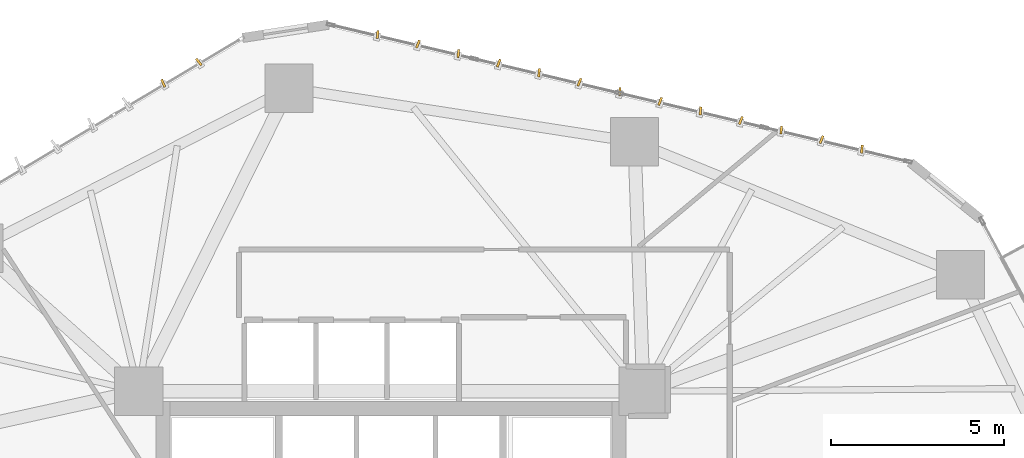
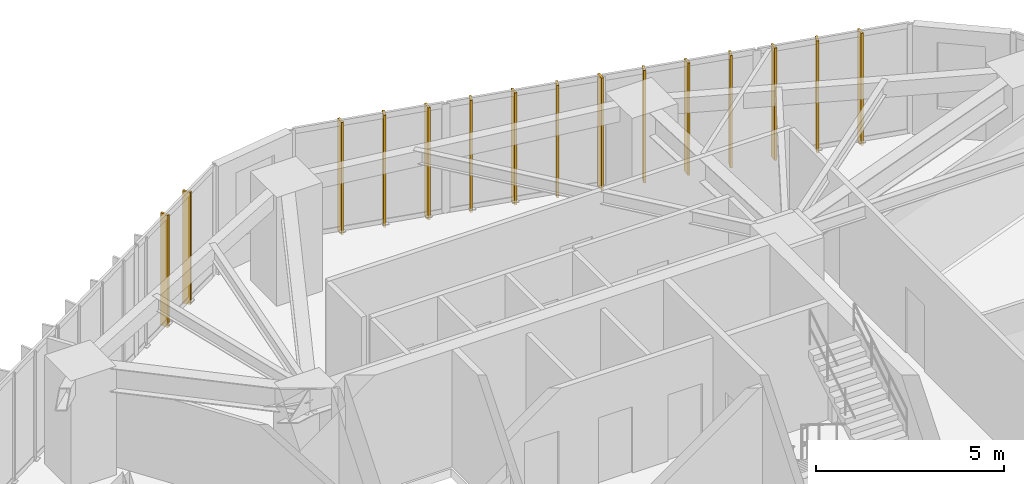
# One storey, part 23 of 23: 15 shading devices.
"""IFC4 building model written with IfcOpenShell, lengths in metres."""

from ifc_helpers import new_model, si_unit, direction, frame, origin, origin_2d, place, context, subcontext, project, spatial, rectangle, extrude, source, transform, mapped, material, layer, layer_set, type_object, type_shapes, element, save


model = new_model("IFC4")

# Units and contexts
model_context = context("Model", 3, precision=1e-05, world=origin(), true_north=direction((0.0, 1.0)))
body_context = subcontext(model_context, "Body", "Model", "MODEL_VIEW")
ifc_project = project(units=[si_unit("LENGTHUNIT", "METRE"), si_unit("AREAUNIT", "SQUARE_METRE"), si_unit("VOLUMEUNIT", "CUBIC_METRE"), si_unit("PLANEANGLEUNIT", "RADIAN"), si_unit("MASSUNIT", "GRAM", prefix="KILO")], contexts=[model_context])

# Site, building, storey
site_placement = place(None, origin())
site = spatial("IfcSite", under=ifc_project, at=site_placement, CompositionType="ELEMENT")
building_placement = place(site_placement, origin())
building = spatial("IfcBuilding", under=site, at=building_placement, Name="Talar Marvaseh", CompositionType="ELEMENT")
storey_placement = place(building_placement, frame((0.0, 0.0, 50.60009765625)))
storey = spatial("IfcBuildingStorey", under=building, at=storey_placement, Name="L12", CompositionType="ELEMENT", Elevation=50.60009765625)

# Shading devices
ifc_material = material(Name="Anodised Champagne Bronze Aluminium", Category="aluminium")
ifc_layer = layer(ifc_material, 0.06494140625)
ifc_layer_set = layer_set([ifc_layer], Name="Anodised Champagne Bronze Aluminium")
shading_device_type = type_object("IfcShadingDeviceType", Name="Sawtooth Champagne Bronze Vertical Fin 240", PredefinedType="USERDEFINED", material=ifc_layer_set)
shared_shape = source(origin(), body_context, "Body", "SweptSolid", [
    extrude(rectangle(XDim=0.239990234375, YDim=0.06494140625, at=origin_2d()), origin(), (0.0, 0.0, 1.0), 3.639892578125),
])
type_shapes(shading_device_type, [shared_shape])
for number, where, z_axis, x_axis, name in (
    (1, (19.40869140625, 45.81201171875, -0.1201171875), (0.0, 0.0, 1.0), (-0.387837353782, 0.92172782697, 0.0), "L12 Sawtooth Vertical Solar Fin"),
    (2, (20.439208984375, 46.4267578125, -0.1201171875), (0.0, 0.0, 1.0), (-0.626875813454, 0.779119191464, 0.0), "L12 Sawtooth Vertical Solar Fin"),
    (3, (25.612060546875, 47.222900390625, -0.1201171875), (0.0, 0.0, 1.0), (0.0927181553, 0.995692394105, 0.0), "L12 Sawtooth Vertical Solar Fin"),
    (4, (26.77978515625, 46.946533203125, -0.1201171875), (0.0, 0.0, 1.0), (0.363576429927, 0.931564372227, 0.0), "L12 Sawtooth Vertical Solar Fin"),
    (5, (27.947509765625, 46.670166015625, -0.1201171875), (0.0, 0.0, 1.0), (0.0927181553, 0.995692394105, 0.0), "L12 Sawtooth Vertical Solar Fin"),
    (6, (29.115234375, 46.3935546875, -0.1201171875), (0.0, 0.0, 1.0), (0.363576429927, 0.931564372227, 0.0), "L12 Sawtooth Vertical Solar Fin"),
    (7, (30.282958984375, 46.1171875, -0.1201171875), (0.0, 0.0, 1.0), (0.0927181553, 0.995692394105, 0.0), "L12 Sawtooth Vertical Solar Fin"),
    (8, (31.45068359375, 45.8408203125, -0.1201171875), (0.0, 0.0, 1.0), (0.363576429927, 0.931564372227, 0.0), "L12 Sawtooth Vertical Solar Fin"),
    (9, (32.618408203125, 45.564453125, -0.1201171875), (0.0, 0.0, 1.0), (0.0927181553, 0.995692394105, 0.0), "L12 Sawtooth Vertical Solar Fin"),
    (10, (33.7861328125, 45.2880859375, -0.1201171875), (0.0, 0.0, 1.0), (0.363576429927, 0.931564372227, 0.0), "L12 Sawtooth Vertical Solar Fin"),
    (11, (34.953857421875, 45.011474609375, -0.1201171875), (0.0, 0.0, 1.0), (0.0927181553, 0.995692394105, 0.0), "L12 Sawtooth Vertical Solar Fin"),
    (12, (36.12158203125, 44.735107421875, -0.1201171875), (0.0, 0.0, 1.0), (0.363576429927, 0.931564372227, 0.0), "L12 Sawtooth Vertical Solar Fin"),
    (13, (37.289306640625, 44.458740234375, -0.1201171875), (0.0, 0.0, 1.0), (0.0927181553, 0.995692394105, 0.0), "L12 Sawtooth Vertical Solar Fin"),
    (14, (38.45703125, 44.182373046875, -0.1201171875), (0.0, 0.0, 1.0), (0.363576429927, 0.931564372227, 0.0), "L12 Sawtooth Vertical Solar Fin"),
    (15, (39.624755859375, 43.90576171875, -0.1201171875), (0.0, 0.0, 1.0), (0.0927181553, 0.995692394105, 0.0), "L12 Sawtooth Vertical Solar Fin"),
):
    element("IfcShadingDevice", number, at=place(storey_placement, frame(where, z_axis=z_axis, x_axis=x_axis)), inside=storey, type_object=shading_device_type, Name=name, ObjectType="FIN", PredefinedType="USERDEFINED", context=body_context, shape_type="MappedRepresentation", body=[
        mapped(shared_shape, transform((0.0, 0.0, 0.0), x_axis=(1.0, 0.0, 0.0), y_axis=(0.0, 1.0, 0.0), z_axis=(0.0, 0.0, 1.0), scale=1.0)),
    ])

save(model, "model.ifc")
